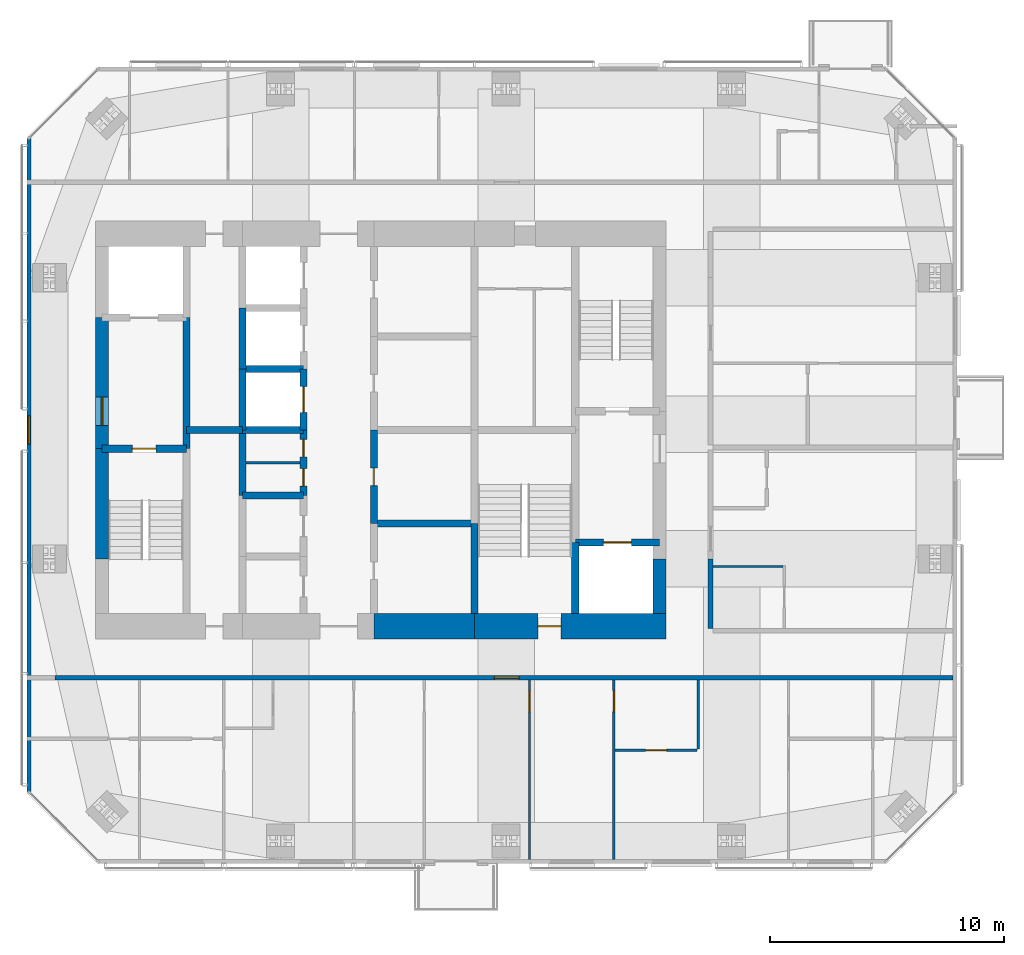
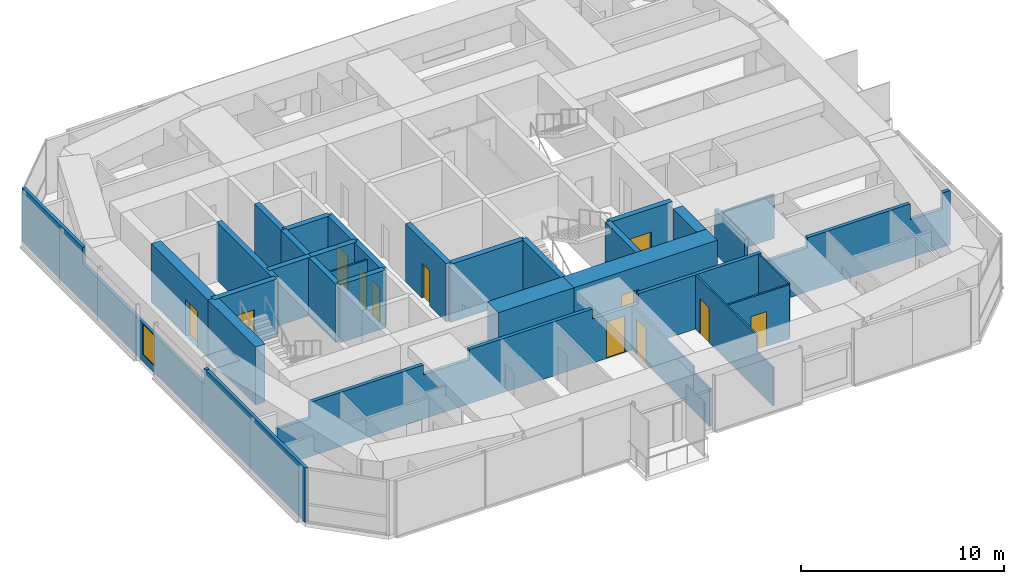
# One storey, part 14 of 18: 30 walls, 12 doors, 1 window, 13 openings.
"""IFC4 building model written with IfcOpenShell, lengths in metres."""

from ifc_helpers import new_model, si_unit, direction, frame, frame_2d, origin, place, context, subcontext, project, spatial, polyline, rectangle, outline, extrude, material, layer, layer_set, constituent, constituent_set, type_object, element, fill, save


model = new_model("IFC4")

# Units and contexts
model_context = context("Model", 3, precision=1e-05, world=origin(), true_north=direction((0.0, 1.0)))
body_context = subcontext(model_context, "Body", "Model", "MODEL_VIEW")
ifc_project = project(units=[si_unit("LENGTHUNIT", "METRE"), si_unit("AREAUNIT", "SQUARE_METRE"), si_unit("VOLUMEUNIT", "CUBIC_METRE"), si_unit("PLANEANGLEUNIT", "RADIAN"), si_unit("MASSUNIT", "GRAM", prefix="KILO")], contexts=[model_context])

# Site, building, storey
site_placement = place(None, origin())
site = spatial("IfcSite", under=ifc_project, at=site_placement, CompositionType="ELEMENT")
building_placement = place(site_placement, origin())
building = spatial("IfcBuilding", under=site, at=building_placement, Name="Jalousie Tower", CompositionType="ELEMENT")
storey_placement = place(building_placement, frame((0.0, 0.0, 252.949951171875)))
storey = spatial("IfcBuildingStorey", under=building, at=storey_placement, Name="L69", CompositionType="ELEMENT", Elevation=252.949951171875)

# Wall
ifc_material_1 = material(Name="Concrete f'c 120 MPa", Category="concrete")
ifc_layer_1 = layer(ifc_material_1, 1.10009765625)
ifc_layer_set_1 = layer_set([ifc_layer_1], Name="Concrete f'c 120 MPa")
wall_type_1 = type_object("IfcWallType", Name="CORE WALL 1100", PredefinedType="SHEAR", material=ifc_layer_set_1)
wall_1_placement = place(storey_placement, frame((31.60009765625, 10.125, 0.0), z_axis=(0.0, 0.0, 1.0), x_axis=(1.0, 0.0, 0.0)))
element("IfcWall", 1, at=wall_1_placement, inside=storey, type_object=wall_type_1, Name="Core wall SC L69", PredefinedType="SHEAR", context=body_context, shape_type="SweptSolid", body=[
    extrude(rectangle(XDim=4.2998046875, YDim=1.10009765625, at=frame_2d((2.14990234375, 0.0))), origin(), (0.0, 0.0, 1.0), 3.5),
])

# Wall, opening, door
wall_2_placement = place(storey_placement, frame((35.89990234375, 10.125, 0.0), z_axis=(0.0, 0.0, 1.0), x_axis=(1.0, 0.0, 0.0)))
wall_2 = element("IfcWall", 2, at=wall_2_placement, inside=storey, type_object=wall_type_1, Name="Core wall SD L69", PredefinedType="SHEAR", context=body_context, shape_type="SweptSolid", body=[
    extrude(rectangle(XDim=8.175048828125, YDim=1.10009765625, at=frame_2d((4.08740234375, 0.0))), origin(), (0.0, 0.0, 1.0), 3.5),
])
opening_1_placement = place(wall_2_placement, frame((2.699951171875, 0.0, 0.0)))
opening_1 = element("IfcOpeningElement", 3, at=opening_1_placement, cuts=wall_2, Name="Opening D10", PredefinedType="OPENING", context=body_context, shape_type="SweptSolid", body=[
    extrude(rectangle(XDim=1.0, YDim=2.10009765625, at=frame_2d((0.5, 1.050048828125))), frame((0.0, 0.56005859375, 0.0), z_axis=(0.0, -1.0, 0.0), x_axis=(1.0, 0.0, 0.0)), (0.0, 0.0, 1.0), 1.1201171875),
])
ifc_material_2 = material(Name="Steel fire door", Category="steel")
door_type_1 = type_object("IfcDoorType", Name="STAIR DOOR 1000", OperationType="SINGLE_SWING_LEFT", PredefinedType="DOOR", material=ifc_material_2)
door_1_placement = place(opening_1_placement, origin())
door_1 = element("IfcDoor", 4, at=door_1_placement, inside=storey, type_object=door_type_1, Name="Exit stair C door", OperationType="SINGLE_SWING_RIGHT", OverallHeight=2.10009765625, OverallWidth=1.0, PredefinedType="DOOR", context=body_context, shape_type="SweptSolid", body=[
    extrude(rectangle(XDim=1.0, YDim=2.10009765625, at=frame_2d((0.5, 1.050048828125))), frame((0.0, 0.02490234375, 0.0), z_axis=(0.0, -1.0, 0.0), x_axis=(1.0, 0.0, 0.0)), (0.0, 0.0, 1.0), 0.050048828125),
])
fill(opening_1, door_1)

# Walls
ifc_material_3 = material(Name="Concrete f'c 120 MPa", Category="concrete")
ifc_layer_2 = layer(ifc_material_3, 0.300048828125)
ifc_layer_set_2 = layer_set([ifc_layer_2], Name="Concrete f'c 120 MPa")
wall_type_2 = type_object("IfcWallType", Name="CORE WALL 300", PredefinedType="SHEAR", material=ifc_layer_set_2)
wall_3_placement = place(storey_placement, frame((23.60009765625, 17.699951171875, 0.0), z_axis=(0.0, 0.0, 1.0), x_axis=(0.0, 1.0, 0.0)))
element("IfcWall", 5, at=wall_3_placement, inside=storey, type_object=wall_type_2, Name="Core wall X23.6B L69", PredefinedType="SHEAR", context=body_context, shape_type="SweptSolid", body=[
    extrude(rectangle(XDim=5.60009765625, YDim=0.300048828125, at=frame_2d((2.800048828125, 0.0))), origin(), (0.0, 0.0, 1.0), 3.5),
])
wall_4_placement = place(storey_placement, frame((26.0, 15.699951171875, 0.0), z_axis=(0.0, 0.0, 1.0), x_axis=(0.0, 1.0, 0.0)))
element("IfcWall", 6, at=wall_4_placement, inside=storey, type_object=wall_type_2, Name="Core wall X26C L69", PredefinedType="SHEAR", context=body_context, shape_type="SweptSolid", body=[
    extrude(rectangle(XDim=2.800048828125, YDim=0.300048828125, at=frame_2d((1.39990234375, 0.0))), origin(), (0.0, 0.0, 1.0), 3.5),
])
wall_5_placement = place(storey_placement, frame((26.0, 18.5, 0.0), z_axis=(0.0, 0.0, 1.0), x_axis=(0.0, 1.0, 0.0)))
element("IfcWall", 7, at=wall_5_placement, inside=storey, type_object=wall_type_2, Name="Core wall X26D L69", PredefinedType="SHEAR", context=body_context, shape_type="SweptSolid", body=[
    extrude(rectangle(XDim=2.60009765625, YDim=0.300048828125, at=frame_2d((1.300048828125, 0.0))), origin(), (0.0, 0.0, 1.0), 3.5),
])
wall_6_placement = place(storey_placement, frame((26.0, 21.10009765625, 0.0), z_axis=(0.0, 0.0, 1.0), x_axis=(0.0, 1.0, 0.0)))
element("IfcWall", 8, at=wall_6_placement, inside=storey, type_object=wall_type_2, Name="Core wall X26E L69", PredefinedType="SHEAR", context=body_context, shape_type="SweptSolid", body=[
    extrude(rectangle(XDim=2.599853515625, YDim=0.300048828125, at=frame_2d((1.2998046875, 0.0))), origin(), (0.0, 0.0, 1.0), 3.5),
])

# Wall, openings, doors
wall_7_placement = place(storey_placement, frame((28.60009765625, 15.699951171875, 0.0), z_axis=(0.0, 0.0, 1.0), x_axis=(0.0, 1.0, 0.0)))
wall_7 = element("IfcWall", 9, at=wall_7_placement, inside=storey, type_object=wall_type_2, Name="Core wall X28.6C L69", PredefinedType="SHEAR", context=body_context, shape_type="SweptSolid", body=[
    extrude(rectangle(XDim=2.800048828125, YDim=0.300048828125, at=frame_2d((1.39990234375, 0.0))), origin(), (0.0, 0.0, 1.0), 3.5),
])
opening_2_placement = place(wall_7_placement, frame((0.39990234375, 0.0, 0.0)))
opening_2 = element("IfcOpeningElement", 10, at=opening_2_placement, cuts=wall_7, Name="Opening D27", PredefinedType="OPENING", context=body_context, shape_type="SweptSolid", body=[
    extrude(rectangle(XDim=0.75, YDim=2.10009765625, at=frame_2d((0.375, 1.050048828125))), frame((0.0, 0.159912109375, 0.0), z_axis=(0.0, -1.0, 0.0), x_axis=(1.0, 0.0, 0.0)), (0.0, 0.0, 1.0), 0.320068359375),
])
opening_3_placement = place(wall_7_placement, frame((1.64990234375, 0.0, 0.0)))
opening_3 = element("IfcOpeningElement", 11, at=opening_3_placement, cuts=wall_7, Name="Opening D27", PredefinedType="OPENING", context=body_context, shape_type="SweptSolid", body=[
    extrude(rectangle(XDim=0.75, YDim=2.10009765625, at=frame_2d((0.375, 1.050048828125))), frame((0.0, 0.159912109375, 0.0), z_axis=(0.0, -1.0, 0.0), x_axis=(1.0, 0.0, 0.0)), (0.0, 0.0, 1.0), 0.320068359375),
])
ifc_material_4 = material(Name="Steel fire door", Category="steel")
door_type_2 = type_object("IfcDoorType", Name="CORE ROOM DOOR 750", OperationType="SINGLE_SWING_LEFT", PredefinedType="DOOR", material=ifc_material_4)
door_2_placement = place(opening_2_placement, origin())
door_2 = element("IfcDoor", 12, at=door_2_placement, inside=storey, type_object=door_type_2, Name="Store door", OperationType="SINGLE_SWING_RIGHT", OverallHeight=2.10009765625, OverallWidth=0.75, PredefinedType="DOOR", context=body_context, shape_type="SweptSolid", body=[
    extrude(rectangle(XDim=0.75, YDim=2.10009765625, at=frame_2d((0.375, 1.050048828125))), frame((0.0, 0.02490234375, 0.0), z_axis=(0.0, -1.0, 0.0), x_axis=(1.0, 0.0, 0.0)), (0.0, 0.0, 1.0), 0.050048828125),
])
fill(opening_2, door_2)
door_3_placement = place(opening_3_placement, origin())
door_3 = element("IfcDoor", 13, at=door_3_placement, inside=storey, type_object=door_type_2, Name="Linen store door", OperationType="SINGLE_SWING_LEFT", OverallHeight=2.10009765625, OverallWidth=0.75, PredefinedType="DOOR", context=body_context, shape_type="SweptSolid", body=[
    extrude(rectangle(XDim=0.75, YDim=2.10009765625, at=frame_2d((0.375, 1.050048828125))), frame((0.0, 0.02490234375, 0.0), z_axis=(0.0, -1.0, 0.0), x_axis=(1.0, 0.0, 0.0)), (0.0, 0.0, 1.0), 0.050048828125),
])
fill(opening_3, door_3)

# Wall, opening, door
wall_8_placement = place(storey_placement, frame((28.60009765625, 18.5, 0.0), z_axis=(0.0, 0.0, 1.0), x_axis=(0.0, 1.0, 0.0)))
wall_8 = element("IfcWall", 14, at=wall_8_placement, inside=storey, type_object=wall_type_2, Name="Core wall X28.6D L69", PredefinedType="SHEAR", context=body_context, shape_type="SweptSolid", body=[
    extrude(rectangle(XDim=2.60009765625, YDim=0.300048828125, at=frame_2d((1.300048828125, 0.0))), origin(), (0.0, 0.0, 1.0), 3.5),
])
opening_4_placement = place(wall_8_placement, frame((0.75, 0.0, 0.0)))
opening_4 = element("IfcOpeningElement", 15, at=opening_4_placement, cuts=wall_8, Name="Opening LD1", PredefinedType="OPENING", context=body_context, shape_type="SweptSolid", body=[
    extrude(rectangle(XDim=1.10009765625, YDim=2.10009765625, at=frame_2d((0.550048828125, 1.050048828125))), frame((0.0, 0.159912109375, 0.0), z_axis=(0.0, -1.0, 0.0), x_axis=(1.0, 0.0, 0.0)), (0.0, 0.0, 1.0), 0.320068359375),
])
ifc_material_5 = material(Name="Steel lift landing door", Category="steel")
door_type_3 = type_object("IfcDoorType", Name="LIFT LANDING DOOR 1100", OperationType="SLIDING_TO_LEFT", PredefinedType="DOOR", material=ifc_material_5)
door_4_placement = place(opening_4_placement, origin())
door_4 = element("IfcDoor", 16, at=door_4_placement, inside=storey, type_object=door_type_3, Name="Lift P4 landing door", OperationType="SLIDING_TO_LEFT", OverallHeight=2.10009765625, OverallWidth=1.10009765625, PredefinedType="DOOR", context=body_context, shape_type="SweptSolid", body=[
    extrude(rectangle(XDim=1.10009765625, YDim=2.10009765625, at=frame_2d((0.550048828125, 1.050048828125))), frame((0.0, 0.02490234375, 0.0), z_axis=(0.0, -1.0, 0.0), x_axis=(1.0, 0.0, 0.0)), (0.0, 0.0, 1.0), 0.050048828125),
])
fill(opening_4, door_4)

wall_9_placement = place(storey_placement, frame((31.60009765625, 14.5, 0.0), z_axis=(0.0, 0.0, 1.0), x_axis=(0.0, 1.0, 0.0)))
wall_9 = element("IfcWall", 17, at=wall_9_placement, inside=storey, type_object=wall_type_2, Name="Core wall X31.6B L69", PredefinedType="SHEAR", context=body_context, shape_type="SweptSolid", body=[
    extrude(rectangle(XDim=4.0, YDim=0.300048828125, at=frame_2d((2.0, 0.0))), origin(), (0.0, 0.0, 1.0), 3.5),
])
opening_5_placement = place(wall_9_placement, frame((1.625, 0.0, 0.0)))
opening_5 = element("IfcOpeningElement", 18, at=opening_5_placement, cuts=wall_9, Name="Opening D16", PredefinedType="OPENING", context=body_context, shape_type="SweptSolid", body=[
    extrude(rectangle(XDim=0.75, YDim=2.10009765625, at=frame_2d((0.375, 1.050048828125))), frame((0.0, 0.159912109375, 0.0), z_axis=(0.0, -1.0, 0.0), x_axis=(1.0, 0.0, 0.0)), (0.0, 0.0, 1.0), 0.320068359375),
])
ifc_material_6 = material(Name="Steel fire door", Category="steel")
door_type_4 = type_object("IfcDoorType", Name="RISER DOOR 750", OperationType="SINGLE_SWING_LEFT", PredefinedType="DOOR", material=ifc_material_6)
door_5_placement = place(opening_5_placement, frame((0.75, 0.0, 0.0), z_axis=(0.0, 0.0, 1.0), x_axis=(-1.0, 0.0, 0.0)))
door_5 = element("IfcDoor", 19, at=door_5_placement, inside=storey, type_object=door_type_4, Name="Electrical Room door", OperationType="SINGLE_SWING_RIGHT", OverallHeight=2.10009765625, OverallWidth=0.75, PredefinedType="DOOR", context=body_context, shape_type="SweptSolid", body=[
    extrude(rectangle(XDim=0.75, YDim=2.10009765625, at=frame_2d((0.375, 1.050048828125))), frame((0.0, 0.02490234375, 0.0), z_axis=(0.0, -1.0, 0.0), x_axis=(1.0, 0.0, 0.0)), (0.0, 0.0, 1.0), 0.050048828125),
])
fill(opening_5, door_5)

# Walls
wall_10_placement = place(storey_placement, frame((35.89990234375, 10.675048828125, 0.0), z_axis=(0.0, 0.0, 1.0), x_axis=(0.0, 1.0, 0.0)))
element("IfcWall", 20, at=wall_10_placement, inside=storey, type_object=wall_type_2, Name="Core wall X35.9A L69", PredefinedType="SHEAR", context=body_context, shape_type="SweptSolid", body=[
    extrude(rectangle(XDim=3.824951171875, YDim=0.300048828125, at=frame_2d((1.91259765625, 0.0))), origin(), (0.0, 0.0, 1.0), 3.5),
])
wall_11_placement = place(storey_placement, frame((40.199951171875, 10.675048828125, 0.0), z_axis=(0.0, 0.0, 1.0), x_axis=(0.0, 1.0, 0.0)))
element("IfcWall", 21, at=wall_11_placement, inside=storey, type_object=wall_type_2, Name="Core wall X40.2A L69", PredefinedType="SHEAR", context=body_context, shape_type="SweptSolid", body=[
    extrude(rectangle(XDim=3.02490234375, YDim=0.300048828125, at=frame_2d((1.512451171875, 0.0))), origin(), (0.0, 0.0, 1.0), 3.5),
])

# Wall, opening, door
wall_12_placement = place(storey_placement, frame((20.0, 17.699951171875, 0.0), z_axis=(0.0, 0.0, 1.0), x_axis=(1.0, 0.0, 0.0)))
wall_12 = element("IfcWall", 22, at=wall_12_placement, inside=storey, type_object=wall_type_2, Name="Core wall Y20-17.7 L69", PredefinedType="SHEAR", context=body_context, shape_type="SweptSolid", body=[
    extrude(rectangle(XDim=3.60009765625, YDim=0.300048828125, at=frame_2d((1.800048828125, 0.0))), origin(), (0.0, 0.0, 1.0), 3.5),
])
opening_6_placement = place(wall_12_placement, frame((1.300048828125, 0.0, 0.0)))
opening_6 = element("IfcOpeningElement", 23, at=opening_6_placement, cuts=wall_12, Name="Opening D10", PredefinedType="OPENING", context=body_context, shape_type="SweptSolid", body=[
    extrude(rectangle(XDim=1.0, YDim=2.10009765625, at=frame_2d((0.5, 1.050048828125))), frame((0.0, 0.159912109375, 0.0), z_axis=(0.0, -1.0, 0.0), x_axis=(1.0, 0.0, 0.0)), (0.0, 0.0, 1.0), 0.320068359375),
])
door_6_placement = place(opening_6_placement, frame((1.0, 0.0, 0.0), z_axis=(0.0, 0.0, 1.0), x_axis=(-1.0, 0.0, 0.0)))
door_6 = element("IfcDoor", 24, at=door_6_placement, inside=storey, type_object=door_type_1, Name="Exit stair A door", OperationType="SINGLE_SWING_RIGHT", OverallHeight=2.10009765625, OverallWidth=1.0, PredefinedType="DOOR", context=body_context, shape_type="SweptSolid", body=[
    extrude(rectangle(XDim=1.0, YDim=2.10009765625, at=frame_2d((0.5, 1.050048828125))), frame((0.0, 0.02490234375, 0.0), z_axis=(0.0, -1.0, 0.0), x_axis=(1.0, 0.0, 0.0)), (0.0, 0.0, 1.0), 0.050048828125),
])
fill(opening_6, door_6)

# Walls
wall_13_placement = place(storey_placement, frame((23.60009765625, 18.5, 0.0), z_axis=(0.0, 0.0, 1.0), x_axis=(1.0, 0.0, 0.0)))
element("IfcWall", 25, at=wall_13_placement, inside=storey, type_object=wall_type_2, Name="Core wall Y23.6-18.5 L69", PredefinedType="SHEAR", context=body_context, shape_type="SweptSolid", body=[
    extrude(rectangle(XDim=2.39990234375, YDim=0.300048828125, at=frame_2d((1.199951171875, 0.0))), origin(), (0.0, 0.0, 1.0), 3.5),
])
for number, where, z_axis, x_axis, name in (
    (26, (26.0, 15.699951171875, 0.0), (0.0, 0.0, 1.0), (1.0, 0.0, 0.0), "Core wall Y26-15.7 L69"),
    (27, (26.0, 18.5, 0.0), (0.0, 0.0, 1.0), (1.0, 0.0, 0.0), "Core wall Y26-18.5 L69"),
    (28, (26.0, 21.10009765625, 0.0), (0.0, 0.0, 1.0), (1.0, 0.0, 0.0), "Core wall Y26-21.1 L69"),
):
    element("IfcWall", number, at=place(storey_placement, frame(where, z_axis=z_axis, x_axis=x_axis)), inside=storey, type_object=wall_type_2, Name=name, PredefinedType="SHEAR", context=body_context, shape_type="SweptSolid", body=[
        extrude(rectangle(XDim=2.60009765625, YDim=0.300048828125, at=frame_2d((1.300048828125, 0.0))), origin(), (0.0, 0.0, 1.0), 3.5),
    ])
wall_14_placement = place(storey_placement, frame((31.60009765625, 14.5, 0.0), z_axis=(0.0, 0.0, 1.0), x_axis=(1.0, 0.0, 0.0)))
element("IfcWall", 29, at=wall_14_placement, inside=storey, type_object=wall_type_2, Name="Core wall Y31.6-14.5 L69", PredefinedType="SHEAR", context=body_context, shape_type="SweptSolid", body=[
    extrude(rectangle(XDim=4.2998046875, YDim=0.300048828125, at=frame_2d((2.14990234375, 0.0))), origin(), (0.0, 0.0, 1.0), 3.5),
])

# Wall, opening, door
wall_15_placement = place(storey_placement, frame((40.199951171875, 13.699951171875, 0.0), z_axis=(0.0, 0.0, 1.0), x_axis=(1.0, 0.0, 0.0)))
wall_15 = element("IfcWall", 30, at=wall_15_placement, inside=storey, type_object=wall_type_2, Name="Core wall Y40.2-13.7 L69", PredefinedType="SHEAR", context=body_context, shape_type="SweptSolid", body=[
    extrude(rectangle(XDim=3.60009765625, YDim=0.300048828125, at=frame_2d((1.800048828125, 0.0))), origin(), (0.0, 0.0, 1.0), 3.5),
])
opening_7_placement = place(wall_15_placement, frame((1.199951171875, 0.0, 0.0)))
opening_7 = element("IfcOpeningElement", 31, at=opening_7_placement, cuts=wall_15, Name="Opening LD2", PredefinedType="OPENING", context=body_context, shape_type="SweptSolid", body=[
    extrude(rectangle(XDim=1.199951171875, YDim=2.10009765625, at=frame_2d((0.60009765625, 1.050048828125))), frame((0.0, 0.159912109375, 0.0), z_axis=(0.0, -1.0, 0.0), x_axis=(1.0, 0.0, 0.0)), (0.0, 0.0, 1.0), 0.320068359375),
])
ifc_material_7 = material(Name="Steel lift landing door", Category="steel")
door_type_5 = type_object("IfcDoorType", Name="LIFT LANDING DOOR 1200", OperationType="SLIDING_TO_LEFT", PredefinedType="DOOR", material=ifc_material_7)
door_7_placement = place(opening_7_placement, origin())
door_7 = element("IfcDoor", 32, at=door_7_placement, inside=storey, type_object=door_type_5, Name="Lift F2 landing door", OperationType="SLIDING_TO_LEFT", OverallHeight=2.10009765625, OverallWidth=1.199951171875, PredefinedType="DOOR", context=body_context, shape_type="SweptSolid", body=[
    extrude(rectangle(XDim=1.199951171875, YDim=2.10009765625, at=frame_2d((0.60009765625, 1.050048828125))), frame((0.0, 0.02490234375, 0.0), z_axis=(0.0, -1.0, 0.0), x_axis=(1.0, 0.0, 0.0)), (0.0, 0.0, 1.0), 0.050048828125),
])
fill(opening_7, door_7)

ifc_material_8 = material(Name="Concrete f'c 120 MPa", Category="concrete")
ifc_layer_3 = layer(ifc_material_8, 0.550048828125)
ifc_layer_set_3 = layer_set([ifc_layer_3], Name="Concrete f'c 120 MPa")
wall_type_3 = type_object("IfcWallType", Name="CORE WALL 550", PredefinedType="SHEAR", material=ifc_layer_set_3)
wall_16_placement = place(storey_placement, frame((20.0, 23.300048828125, 0.0), z_axis=(0.0, 0.0, 1.0), x_axis=(0.0, -1.0, 0.0)))
wall_16 = element("IfcWall", 33, at=wall_16_placement, inside=storey, type_object=wall_type_3, Name="Core wall WB L69", PredefinedType="SHEAR", context=body_context, shape_type="SweptSolid", body=[
    extrude(rectangle(XDim=5.60009765625, YDim=0.550048828125, at=frame_2d((2.800048828125, 0.0))), origin(), (0.0, 0.0, 1.0), 3.5),
])
opening_8_placement = place(wall_16_placement, frame((3.39990234375, 0.0, 0.0)))
opening_8 = element("IfcOpeningElement", 34, at=opening_8_placement, cuts=wall_16, Name="Opening D11", PredefinedType="OPENING", context=body_context, shape_type="SweptSolid", body=[
    extrude(rectangle(XDim=1.199951171875, YDim=2.199951171875, at=frame_2d((0.60009765625, 1.10009765625))), frame((0.0, 0.284912109375, 0.0), z_axis=(0.0, -1.0, 0.0), x_axis=(1.0, 0.0, 0.0)), (0.0, 0.0, 1.0), 0.570068359375),
])
ifc_material_9 = material(Name="Steel fire door", Category="steel")
door_type_6 = type_object("IfcDoorType", Name="FIRE DOOR 1200", OperationType="SINGLE_SWING_LEFT", PredefinedType="DOOR", material=ifc_material_9)
door_8_placement = place(opening_8_placement, origin())
door_8 = element("IfcDoor", 35, at=door_8_placement, inside=storey, type_object=door_type_6, Name="Fire-fighting lobby A door", OperationType="SINGLE_SWING_RIGHT", OverallHeight=2.199951171875, OverallWidth=1.199951171875, PredefinedType="DOOR", context=body_context, shape_type="SweptSolid", body=[
    extrude(rectangle(XDim=1.199951171875, YDim=2.199951171875, at=frame_2d((0.60009765625, 1.10009765625))), frame((0.0, 0.02490234375, 0.0), z_axis=(0.0, -1.0, 0.0), x_axis=(1.0, 0.0, 0.0)), (0.0, 0.0, 1.0), 0.050048828125),
])
fill(opening_8, door_8)

# Walls
wall_17_placement = place(storey_placement, frame((20.0, 17.699951171875, 0.0), z_axis=(0.0, 0.0, 1.0), x_axis=(0.0, -1.0, 0.0)))
element("IfcWall", 36, at=wall_17_placement, inside=storey, type_object=wall_type_3, Name="Core wall WC L69", PredefinedType="SHEAR", context=body_context, shape_type="SweptSolid", body=[
    extrude(rectangle(XDim=4.699951171875, YDim=0.550048828125, at=frame_2d((2.35009765625, 0.0))), origin(), (0.0, 0.0, 1.0), 3.5),
])
wall_18_placement = place(storey_placement, frame((43.800048828125, 10.675048828125, 0.0), z_axis=(0.0, 0.0, 1.0), x_axis=(0.0, 1.0, 0.0)))
element("IfcWall", 37, at=wall_18_placement, inside=storey, type_object=wall_type_3, Name="Core wall EA L69", PredefinedType="SHEAR", context=body_context, shape_type="SweptSolid", body=[
    extrude(rectangle(XDim=2.324951171875, YDim=0.550048828125, at=frame_2d((1.16259765625, 0.0))), origin(), (0.0, 0.0, 1.0), 3.5),
])

# Wall, opening, door
ifc_material_10 = material(Name="Concrete block ASTM C90", Category="concrete")
ifc_constituent_1 = constituent(ifc_material_10, Name="Body")
ifc_material_11 = material(Name="Render")
ifc_constituent_2 = constituent(ifc_material_11, Name="Finish")
ifc_constituent_set_1 = constituent_set(constituents=[ifc_constituent_1, ifc_constituent_2])
wall_type_4 = type_object("IfcWallType", Name="CORRIDOR WALL 200", PredefinedType="PARTITIONING", material=ifc_constituent_set_1)
wall_19_placement = place(storey_placement, frame((18.0, 7.925048828125, 0.0), z_axis=(0.0, 0.0, 1.0), x_axis=(1.0, 0.0, 0.0)))
wall_19 = element("IfcWall", 38, at=wall_19_placement, inside=storey, type_object=wall_type_4, Name="Corridor Wall 200 L69", PredefinedType="PARTITIONING", context=body_context, shape_type="SweptSolid", body=[
    extrude(outline(polyline([(0.0, 0.0), (38.324951171875, 0.0), (38.324951171875, 3.260009765625), (37.875, 3.260009765625), (37.875, 2.300048828125), (36.042724609375, 2.300048828125), (36.042724609375, 3.260009765625), (30.18505859375, 3.260009765625), (30.18505859375, 2.66015625), (27.56494140625, 2.66015625), (27.56494140625, 3.260009765625), (20.56005859375, 3.260009765625), (20.56005859375, 2.66015625), (17.93994140625, 2.66015625), (17.93994140625, 3.260009765625), (10.93505859375, 3.260009765625), (10.93505859375, 2.66015625), (8.31494140625, 2.66015625), (8.31494140625, 3.260009765625), (1.838623046875, 3.260009765625), (1.838623046875, 2.300048828125), (0.0, 2.300048828125), (0.0, 3.260009765625), (0.0, 0.0)])), frame((0.0, 0.10009765625, 0.0), z_axis=(0.0, -1.0, 0.0), x_axis=(1.0, 0.0, 0.0)), (0.0, 0.0, 1.0), 0.199951171875),
])
opening_9_placement = place(wall_19_placement, frame((18.75, 0.0, 0.0)))
opening_9 = element("IfcOpeningElement", 39, at=opening_9_placement, cuts=wall_19, Name="Opening D1", PredefinedType="OPENING", context=body_context, shape_type="SweptSolid", body=[
    extrude(rectangle(XDim=1.050048828125, YDim=2.199951171875, at=frame_2d((0.52490234375, 1.10009765625))), frame((0.0, 0.10986328125, 0.0), z_axis=(0.0, -1.0, 0.0), x_axis=(1.0, 0.0, 0.0)), (0.0, 0.0, 1.0), 0.219970703125),
])
ifc_material_12 = material(Name="Timber fire door", Category="wood")
door_type_7 = type_object("IfcDoorType", Name="APARTMENT ENTRANCE DOOR 1050", OperationType="SINGLE_SWING_LEFT", PredefinedType="DOOR", material=ifc_material_12)
door_9_placement = place(opening_9_placement, frame((1.050048828125, 0.0, 0.0), z_axis=(0.0, 0.0, 1.0), x_axis=(-1.0, 0.0, 0.0)))
door_9 = element("IfcDoor", 40, at=door_9_placement, inside=storey, type_object=door_type_7, Name="Apartment 6901 entrance", OperationType="SINGLE_SWING_LEFT", OverallHeight=2.199951171875, OverallWidth=1.050048828125, PredefinedType="DOOR", context=body_context, shape_type="SweptSolid", body=[
    extrude(rectangle(XDim=1.050048828125, YDim=2.199951171875, at=frame_2d((0.52490234375, 1.10009765625))), frame((0.0, 0.02490234375, 0.0), z_axis=(0.0, -1.0, 0.0), x_axis=(1.0, 0.0, 0.0)), (0.0, 0.0, 1.0), 0.050048828125),
])
fill(opening_9, door_9)

# Wall
wall_20_placement = place(storey_placement, frame((45.97509765625, 10.02490234375, 0.0), z_axis=(0.0, 0.0, 1.0), x_axis=(0.0, 1.0, 0.0)))
element("IfcWall", 41, at=wall_20_placement, inside=storey, type_object=wall_type_4, Name="Corridor Wall 200 L69-A", PredefinedType="PARTITIONING", context=body_context, shape_type="SweptSolid", body=[
    extrude(rectangle(XDim=2.97509765625, YDim=0.199951171875, at=frame_2d((1.487548828125, 0.0))), origin(), (0.0, 0.0, 1.0), 2.66015625),
])

# Wall, opening, window
ifc_material_13 = material(Name="Concrete f'c 40 MPa", Category="concrete")
ifc_constituent_3 = constituent(ifc_material_13, Name="Body")
ifc_material_14 = material(Name="Render, pastel sky blue")
ifc_constituent_4 = constituent(ifc_material_14, Name="Finish")
ifc_constituent_set_2 = constituent_set(constituents=[ifc_constituent_3, ifc_constituent_4])
wall_type_5 = type_object("IfcWallType", Name="EXTERNAL WALL 175 SKY BLUE RENDER", PredefinedType="SOLIDWALL", material=ifc_constituent_set_2)
wall_21_placement = place(storey_placement, frame((16.887451171875, 30.94873046875, 0.0), z_axis=(0.0, 0.0, 1.0), x_axis=(0.0, -1.0, 0.0)))
wall_21 = element("IfcWall", 42, at=wall_21_placement, inside=storey, type_object=wall_type_5, Name="External Wall 175 Sky Blue Render L69", PredefinedType="SOLIDWALL", context=body_context, shape_type="SweptSolid", body=[
    extrude(outline(polyline([(0.0, 0.0), (27.8974609375, 0.0), (27.8974609375, 3.260009765625), (18.1484375, 3.260009765625), (18.1484375, 2.300048828125), (18.125, 2.300048828125), (18.125, 3.260009765625), (17.94873046875, 3.260009765625), (17.94873046875, 2.300048828125), (5.94873046875, 2.300048828125), (5.94873046875, 3.260009765625), (0.0, 3.260009765625), (0.0, 0.0)])), frame((0.0, 0.08740234375, 0.0), z_axis=(0.0, -1.0, 0.0), x_axis=(1.0, 0.0, 0.0)), (0.0, 0.0, 1.0), 0.175048828125),
])
opening_10_placement = place(wall_21_placement, frame((11.8486328125, 0.0, 0.39990234375)))
opening_10 = element("IfcOpeningElement", 43, at=opening_10_placement, cuts=wall_21, Name="Opening W-COR185", PredefinedType="OPENING", context=body_context, shape_type="SweptSolid", body=[
    extrude(rectangle(XDim=1.199951171875, YDim=1.85009765625, at=frame_2d((0.60009765625, 0.925048828125))), frame((0.0, 0.097412109375, 0.0), z_axis=(0.0, -1.0, 0.0), x_axis=(1.0, 0.0, 0.0)), (0.0, 0.0, 1.0), 0.195068359375),
])
ifc_material_15 = material(Name="Aluminium frame, impact-rated glazing", Category="aluminium")
window_type = type_object("IfcWindowType", Name="WINDOW COR 1200x1850", PartitioningType="SINGLE_PANEL", PredefinedType="WINDOW", material=ifc_material_15)
window_placement = place(opening_10_placement, origin())
window = element("IfcWindow", 44, at=window_placement, inside=storey, type_object=window_type, Name="Corridor window", OverallHeight=1.85009765625, OverallWidth=1.199951171875, PartitioningType="SINGLE_PANEL", PredefinedType="WINDOW", context=body_context, shape_type="SweptSolid", body=[
    extrude(rectangle(XDim=1.199951171875, YDim=1.85009765625, at=frame_2d((0.60009765625, 0.925048828125))), frame((0.0, 0.030029296875, 0.0), z_axis=(0.0, -1.0, 0.0), x_axis=(1.0, 0.0, 0.0)), (0.0, 0.0, 1.0), 0.06005859375),
])
fill(opening_10, window)

# Wall, opening, door
ifc_material_16 = material(Name="Gypsum board", Category="gypsum")
ifc_constituent_5 = constituent(ifc_material_16, Name="Body")
ifc_material_17 = material(Name="Light-gauge steel studs ASTM A653 SS Grade 33", Category="steel")
ifc_constituent_6 = constituent(ifc_material_17, Name="Framing")
ifc_constituent_set_3 = constituent_set(constituents=[ifc_constituent_5, ifc_constituent_6])
wall_type_6 = type_object("IfcWallType", Name="PARTITION 100", PredefinedType="PARTITIONING", material=ifc_constituent_set_3)
wall_22_placement = place(storey_placement, frame((38.25, 0.175048828125, 0.0), z_axis=(0.0, 0.0, 1.0), x_axis=(0.0, 1.0, 0.0)))
wall_22 = element("IfcWall", 45, at=wall_22_placement, inside=storey, type_object=wall_type_6, Name="Partition 100 L69", PredefinedType="PARTITIONING", context=body_context, shape_type="SweptSolid", body=[
    extrude(outline(polyline([(0.0, 0.0), (7.64990234375, 0.0), (7.64990234375, 3.260009765625), (7.64990234375, 2.66015625), (1.635009765625, 2.66015625), (1.635009765625, 2.300048828125), (0.0, 2.300048828125), (0.0, 3.260009765625), (0.0, 0.0)])), frame((0.0, 0.050048828125, 0.0), z_axis=(0.0, -1.0, 0.0), x_axis=(1.0, 0.0, 0.0)), (0.0, 0.0, 1.0), 0.10009765625),
])
opening_11_placement = place(wall_22_placement, frame((6.300048828125, 0.0, 0.0)))
opening_11 = element("IfcOpeningElement", 46, at=opening_11_placement, cuts=wall_22, Name="Opening D2", PredefinedType="OPENING", context=body_context, shape_type="SweptSolid", body=[
    extrude(rectangle(XDim=0.89990234375, YDim=2.10009765625, at=frame_2d((0.449951171875, 1.050048828125))), frame((0.0, 0.06005859375, 0.0), z_axis=(0.0, -1.0, 0.0), x_axis=(1.0, 0.0, 0.0)), (0.0, 0.0, 1.0), 0.1201171875),
])
ifc_material_18 = material(Name="Timber door", Category="wood")
door_type_8 = type_object("IfcDoorType", Name="BEDROOM DOOR 900", OperationType="SINGLE_SWING_LEFT", PredefinedType="DOOR", material=ifc_material_18)
door_10_placement = place(opening_11_placement, origin())
door_10 = element("IfcDoor", 47, at=door_10_placement, inside=storey, type_object=door_type_8, Name="Apartment 6901 snug door", OperationType="SINGLE_SWING_RIGHT", OverallHeight=2.10009765625, OverallWidth=0.89990234375, PredefinedType="DOOR", context=body_context, shape_type="SweptSolid", body=[
    extrude(rectangle(XDim=0.89990234375, YDim=2.10009765625, at=frame_2d((0.449951171875, 1.050048828125))), frame((0.0, 0.02490234375, 0.0), z_axis=(0.0, -1.0, 0.0), x_axis=(1.0, 0.0, 0.0)), (0.0, 0.0, 1.0), 0.050048828125),
])
fill(opening_11, door_10)

wall_23_placement = place(storey_placement, frame((41.85009765625, 0.175048828125, 0.0), z_axis=(0.0, 0.0, 1.0), x_axis=(0.0, 1.0, 0.0)))
wall_23 = element("IfcWall", 48, at=wall_23_placement, inside=storey, type_object=wall_type_6, Name="Partition 100 L69", PredefinedType="PARTITIONING", context=body_context, shape_type="SweptSolid", body=[
    extrude(outline(polyline([(0.0, 0.0), (7.64990234375, 0.0), (7.64990234375, 3.260009765625), (1.635009765625, 3.260009765625), (1.635009765625, 2.300048828125), (0.0, 2.300048828125), (0.0, 3.260009765625), (0.0, 0.0)])), frame((0.0, 0.050048828125, 0.0), z_axis=(0.0, -1.0, 0.0), x_axis=(1.0, 0.0, 0.0)), (0.0, 0.0, 1.0), 0.10009765625),
])
opening_12_placement = place(wall_23_placement, frame((6.300048828125, 0.0, 0.0)))
opening_12 = element("IfcOpeningElement", 49, at=opening_12_placement, cuts=wall_23, Name="Opening D2", PredefinedType="OPENING", context=body_context, shape_type="SweptSolid", body=[
    extrude(rectangle(XDim=0.89990234375, YDim=2.10009765625, at=frame_2d((0.449951171875, 1.050048828125))), frame((0.0, 0.06005859375, 0.0), z_axis=(0.0, -1.0, 0.0), x_axis=(1.0, 0.0, 0.0)), (0.0, 0.0, 1.0), 0.1201171875),
])
door_11_placement = place(opening_12_placement, origin())
door_11 = element("IfcDoor", 50, at=door_11_placement, inside=storey, type_object=door_type_8, Name="Apartment 6901 den door", OperationType="SINGLE_SWING_RIGHT", OverallHeight=2.10009765625, OverallWidth=0.89990234375, PredefinedType="DOOR", context=body_context, shape_type="SweptSolid", body=[
    extrude(rectangle(XDim=0.89990234375, YDim=2.10009765625, at=frame_2d((0.449951171875, 1.050048828125))), frame((0.0, 0.02490234375, 0.0), z_axis=(0.0, -1.0, 0.0), x_axis=(1.0, 0.0, 0.0)), (0.0, 0.0, 1.0), 0.050048828125),
])
fill(opening_12, door_11)

wall_24_placement = place(storey_placement, frame((41.89990234375, 4.824951171875, 0.0), z_axis=(0.0, 0.0, 1.0), x_axis=(1.0, 0.0, 0.0)))
wall_24 = element("IfcWall", 51, at=wall_24_placement, inside=storey, type_object=wall_type_6, Name="Partition 100 L69", PredefinedType="PARTITIONING", context=body_context, shape_type="SweptSolid", body=[
    extrude(rectangle(XDim=3.5, YDim=0.10009765625, at=frame_2d((1.75, 0.0))), origin(), (0.0, 0.0, 1.0), 3.260009765625),
])
opening_13_placement = place(wall_24_placement, frame((1.300048828125, 0.0, 0.0)))
opening_13 = element("IfcOpeningElement", 52, at=opening_13_placement, cuts=wall_24, Name="Opening D7", PredefinedType="OPENING", context=body_context, shape_type="SweptSolid", body=[
    extrude(rectangle(XDim=0.89990234375, YDim=2.10009765625, at=frame_2d((0.449951171875, 1.050048828125))), frame((0.0, 0.06005859375, 0.0), z_axis=(0.0, -1.0, 0.0), x_axis=(1.0, 0.0, 0.0)), (0.0, 0.0, 1.0), 0.1201171875),
])
ifc_material_19 = material(Name="Timber door", Category="wood")
door_type_9 = type_object("IfcDoorType", Name="INTERNAL DOOR 900", OperationType="SINGLE_SWING_LEFT", PredefinedType="DOOR", material=ifc_material_19)
door_12_placement = place(opening_13_placement, frame((0.89990234375, 0.0, 0.0), z_axis=(0.0, 0.0, 1.0), x_axis=(-1.0, 0.0, 0.0)))
door_12 = element("IfcDoor", 53, at=door_12_placement, inside=storey, type_object=door_type_9, Name="Apartment 6901 kitchen door", OperationType="SINGLE_SWING_RIGHT", OverallHeight=2.10009765625, OverallWidth=0.89990234375, PredefinedType="DOOR", context=body_context, shape_type="SweptSolid", body=[
    extrude(rectangle(XDim=0.89990234375, YDim=2.10009765625, at=frame_2d((0.449951171875, 1.050048828125))), frame((0.0, 0.02490234375, 0.0), z_axis=(0.0, -1.0, 0.0), x_axis=(1.0, 0.0, 0.0)), (0.0, 0.0, 1.0), 0.050048828125),
])
fill(opening_13, door_12)

# Walls
wall_25_placement = place(storey_placement, frame((45.449951171875, 4.875, 0.0), z_axis=(0.0, 0.0, 1.0), x_axis=(0.0, 1.0, 0.0)))
element("IfcWall", 54, at=wall_25_placement, inside=storey, type_object=wall_type_6, Name="Partition 100 L69", PredefinedType="PARTITIONING", context=body_context, shape_type="SweptSolid", body=[
    extrude(rectangle(XDim=2.949951171875, YDim=0.10009765625, at=frame_2d((1.47509765625, 0.0))), origin(), (0.0, 0.0, 1.0), 3.260009765625),
])
wall_26_placement = place(storey_placement, frame((46.074951171875, 12.675048828125, 0.0), z_axis=(0.0, 0.0, 1.0), x_axis=(1.0, 0.0, 0.0)))
element("IfcWall", 55, at=wall_26_placement, inside=storey, type_object=wall_type_6, Name="Partition 100 L69", PredefinedType="PARTITIONING", context=body_context, shape_type="SweptSolid", body=[
    extrude(outline(polyline([(0.0, 0.0), (3.0, 0.0), (3.0, 3.260009765625), (3.0, 2.66015625), (2.06005859375, 2.66015625), (0.0, 2.66015625), (0.0, 3.260009765625), (0.0, 0.0)])), frame((0.0, 0.050048828125, 0.0), z_axis=(0.0, -1.0, 0.0), x_axis=(1.0, 0.0, 0.0)), (0.0, 0.0, 1.0), 0.10009765625),
])
wall_27_placement = place(storey_placement, frame((26.14990234375, 17.10009765625, 0.0), z_axis=(0.0, 0.0, 1.0), x_axis=(1.0, 0.0, 0.0)))
element("IfcWall", 56, at=wall_27_placement, inside=storey, type_object=wall_type_6, Name="Partition 100 L69", PredefinedType="PARTITIONING", context=body_context, shape_type="SweptSolid", body=[
    extrude(rectangle(XDim=2.300048828125, YDim=0.10009765625, at=frame_2d((1.14990234375, 0.0))), origin(), (0.0, 0.0, 1.0), 3.260009765625),
])

save(model, "model.ifc")
